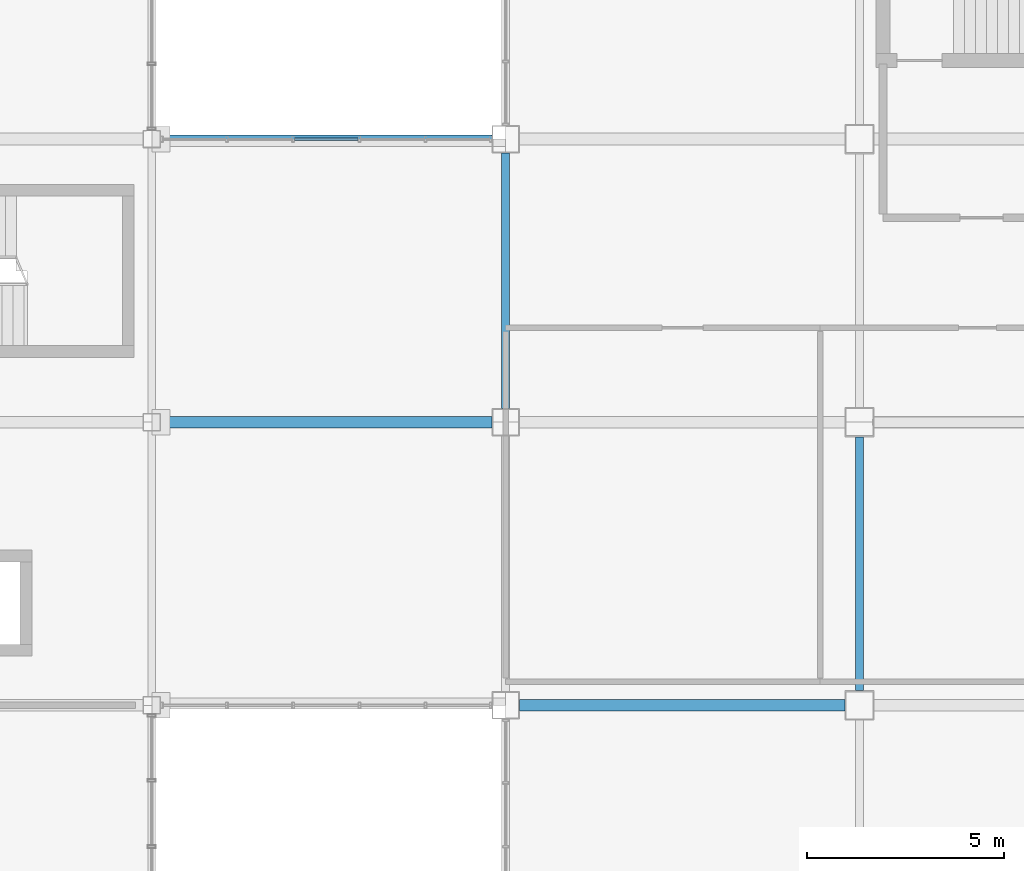
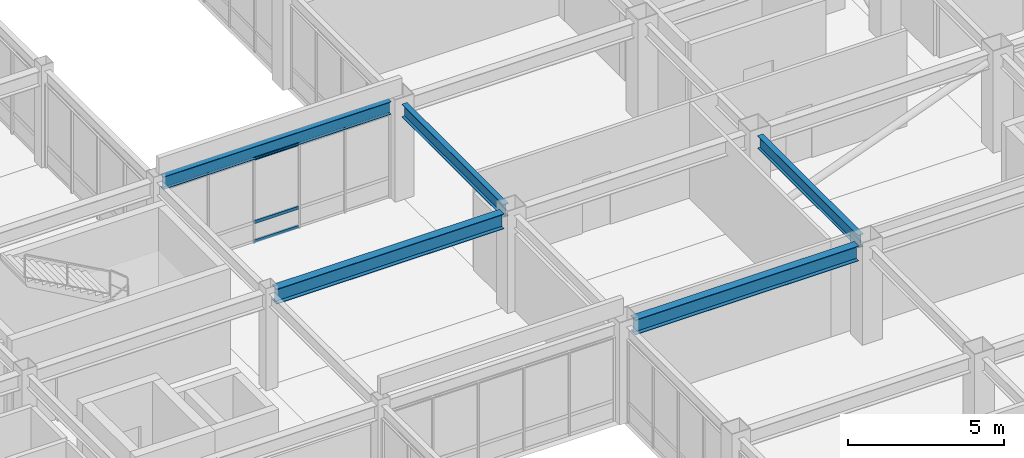
# One storey, part 80 of 122: 5 beams, 3 members, 1 element without a shape of its own.
"""IFC4 building model written with IfcOpenShell, lengths in metres."""

from ifc_helpers import new_model, si_unit, direction, frame, origin, origin_2d, place, context, subcontext, project, spatial, hollow_rectangle, i_section, extrude, material, material_profile, profile_set, type_object, element, aggregate, save


model = new_model("IFC4")

# Units and contexts
model_context = context("Model", 3, precision=1e-05, world=origin(), true_north=direction((0.0, 1.0)))
body_context = subcontext(model_context, "Body", "Model", "MODEL_VIEW")
ifc_project = project(units=[si_unit("LENGTHUNIT", "METRE"), si_unit("AREAUNIT", "SQUARE_METRE"), si_unit("VOLUMEUNIT", "CUBIC_METRE"), si_unit("PLANEANGLEUNIT", "RADIAN"), si_unit("MASSUNIT", "GRAM", prefix="KILO")], contexts=[model_context])

# Site, building, storey
site_placement = place(None, origin())
site = spatial("IfcSite", under=ifc_project, at=site_placement, CompositionType="ELEMENT")
building_placement = place(site_placement, origin())
building = spatial("IfcBuilding", under=site, at=building_placement, Name="Kazanami Central Library", CompositionType="ELEMENT")
storey_placement = place(building_placement, frame((0.0, 0.0, 4.800048828125)))
storey = spatial("IfcBuildingStorey", under=building, at=storey_placement, Name="L02", CompositionType="ELEMENT", Elevation=4.800048828125)

# Beams
ifc_material_1 = material(Name="Steel SN490B (325 MPa)", Category="steel")
ifc_material_profile_1 = material_profile(ifc_material_1, i_section(OverallWidth=0.300048828125, OverallDepth=0.587890625, WebThickness=0.011962890625, FlangeThickness=0.02001953125, at=origin_2d()), Name="H-588x300x12x20")
ifc_profile_set_1 = profile_set([ifc_material_profile_1], Name="Steel SN490B (325 MPa)")
beam_type_1 = type_object("IfcBeamType", Name="BM-G-X2", PredefinedType="BEAM", material=ifc_profile_set_1)
beam_1_placement = place(storey_placement, frame((117.347900390625, 64.800048828125, 3.4609375), z_axis=(1.0, 0.0, 0.0), x_axis=(0.0, 1.0, 0.0)))
element("IfcBeam", 1, at=beam_1_placement, inside=storey, type_object=beam_type_1, Name="Girder G-X2 L02 K/14-15", PredefinedType="BEAM", context=body_context, shape_type="SweptSolid", body=[
    extrude(i_section(OverallWidth=0.300048828125, OverallDepth=0.587890625, WebThickness=0.011962890625, FlangeThickness=0.02001953125, at=origin_2d()), origin(), (0.0, 0.0, 1.0), 8.279052734375),
])
beam_2_placement = place(storey_placement, frame((108.222900390625, 72.0, 3.495849609375), z_axis=(1.0, 0.0, 0.0), x_axis=(0.0, 1.0, 0.0)))
element("IfcBeam", 2, at=beam_2_placement, inside=storey, type_object=beam_type_1, Name="Covered Link Bridge Girder G-X2 L02 L/13-14", PredefinedType="BEAM", context=body_context, shape_type="SweptSolid", body=[
    extrude(i_section(OverallWidth=0.300048828125, OverallDepth=0.587890625, WebThickness=0.011962890625, FlangeThickness=0.02001953125, at=origin_2d()), origin(), (0.0, 0.0, 1.0), 8.42919921875),
])
ifc_material_profile_2 = material_profile(ifc_material_1, i_section(OverallWidth=0.199951171875, OverallDepth=0.5, WebThickness=0.010009765625, FlangeThickness=0.01611328125, at=origin_2d()), Name="H-500x200x10x16")
ifc_profile_set_2 = profile_set([ifc_material_profile_2], Name="Steel SN490B (325 MPa)")
beam_type_2 = type_object("IfcBeamType", Name="BM-G-Y2", PredefinedType="BEAM", material=ifc_profile_set_2)
beam_3_placement = place(storey_placement, frame((117.0, 72.347900390625, 3.5048828125), z_axis=(0.0, 1.0, 0.0), x_axis=(-1.0, 0.0, 0.0)))
element("IfcBeam", 3, at=beam_3_placement, inside=storey, type_object=beam_type_2, Name="Girder G-Y2 L02 14/L-M", PredefinedType="BEAM", context=body_context, shape_type="SweptSolid", body=[
    extrude(i_section(OverallWidth=0.199951171875, OverallDepth=0.5, WebThickness=0.010009765625, FlangeThickness=0.01611328125, at=origin_2d()), origin(), (0.0, 0.0, 1.0), 6.504150390625),
])
beam_4_placement = place(storey_placement, frame((126.0, 65.173095703125, 3.5048828125), z_axis=(0.0, 1.0, 0.0), x_axis=(-1.0, 0.0, 0.0)))
element("IfcBeam", 4, at=beam_4_placement, inside=storey, type_object=beam_type_2, Name="Girder G-Y2 L02 15/K-L", PredefinedType="BEAM", context=body_context, shape_type="SweptSolid", body=[
    extrude(i_section(OverallWidth=0.199951171875, OverallDepth=0.5, WebThickness=0.010009765625, FlangeThickness=0.01611328125, at=origin_2d()), origin(), (0.0, 0.0, 1.0), 6.453857421875),
])
ifc_material_profile_3 = material_profile(ifc_material_1, i_section(OverallWidth=0.199951171875, OverallDepth=0.5, WebThickness=0.010009765625, FlangeThickness=0.01611328125, at=origin_2d()), Name="H-500x200x10x16")
ifc_profile_set_3 = profile_set([ifc_material_profile_3], Name="Steel SN490B (325 MPa)")
beam_type_3 = type_object("IfcBeamType", Name="BM-SP-1", PredefinedType="SPANDREL", material=ifc_profile_set_3)
beam_5_placement = place(storey_placement, frame((108.222900390625, 79.199951171875, 3.5400390625), z_axis=(1.0, 0.0, 0.0), x_axis=(0.0, 1.0, 0.0)))
element("IfcBeam", 5, at=beam_5_placement, inside=storey, type_object=beam_type_3, Name="Covered Link Bridge Girder SP-1 L02 M/13-14", PredefinedType="SPANDREL", context=body_context, shape_type="SweptSolid", body=[
    extrude(i_section(OverallWidth=0.199951171875, OverallDepth=0.5, WebThickness=0.010009765625, FlangeThickness=0.01611328125, at=origin_2d()), origin(), (0.0, 0.0, 1.0), 8.42919921875),
])

# Curtain wall, members
ifc_material_2 = material(Name="Acid-Etched Low-E Laminated Glass", Category="glass")
curtain_wall_type = type_object("IfcCurtainWallType", Name="CW-8425x3290-M180", PredefinedType="USERDEFINED", material=ifc_material_2)
curtain_wall_placement = place(storey_placement, origin())
curtain_wall = element("IfcCurtainWall", 6, at=curtain_wall_placement, inside=storey, type_object=curtain_wall_type, Name="Covered Link Bridge Curtain Wall CW-18 L02 N-M-12", ObjectType="UNITISED CURTAIN WALL", PredefinedType="USERDEFINED")
ifc_material_3 = material(Name="Anodised Aluminium A6063-T5", Category="aluminium")
ifc_material_profile_4 = material_profile(ifc_material_3, hollow_rectangle(XDim=0.06005859375, YDim=0.1201171875, WallThickness=0.00341796875, at=origin_2d()), Name="ALU-TRAN-60x120x3.5")
ifc_profile_set_4 = profile_set([ifc_material_profile_4], Name="Anodised Aluminium A6063-T5")
member_type = type_object("IfcMemberType", Name="MEM-CW-T3", PredefinedType="USERDEFINED", material=ifc_profile_set_4)
member_1_placement = place(storey_placement, frame((113.25, 79.199951171875, 0.030029296875), z_axis=(-1.0, 0.0, 0.0), x_axis=(0.0, -1.0, 0.0)))
member_1 = element("IfcMember", 7, at=member_1_placement, type_object=member_type, Name="CW-18 transom 3.1", ObjectType="TRANSOM", PredefinedType="USERDEFINED", context=body_context, shape_type="SweptSolid", body=[
    extrude(hollow_rectangle(XDim=0.06005859375, YDim=0.1201171875, WallThickness=0.00341796875, at=origin_2d()), origin(), (0.0, 0.0, 1.0), 1.625),
])
member_2_placement = place(storey_placement, frame((113.25, 79.199951171875, 0.780029296875), z_axis=(-1.0, 0.0, 0.0), x_axis=(0.0, -1.0, 0.0)))
member_2 = element("IfcMember", 8, at=member_2_placement, type_object=member_type, Name="CW-18 transom 3.2", ObjectType="TRANSOM", PredefinedType="USERDEFINED", context=body_context, shape_type="SweptSolid", body=[
    extrude(hollow_rectangle(XDim=0.06005859375, YDim=0.1201171875, WallThickness=0.00341796875, at=origin_2d()), origin(), (0.0, 0.0, 1.0), 1.625),
])
member_3_placement = place(storey_placement, frame((113.25, 79.199951171875, 3.260009765625), z_axis=(-1.0, 0.0, 0.0), x_axis=(0.0, -1.0, 0.0)))
member_3 = element("IfcMember", 9, at=member_3_placement, type_object=member_type, Name="CW-18 transom 3.3", ObjectType="TRANSOM", PredefinedType="USERDEFINED", context=body_context, shape_type="SweptSolid", body=[
    extrude(hollow_rectangle(XDim=0.06005859375, YDim=0.1201171875, WallThickness=0.00341796875, at=origin_2d()), origin(), (0.0, 0.0, 1.0), 1.625),
])
aggregate(curtain_wall, [member_1, member_2, member_3])

save(model, "model.ifc")
